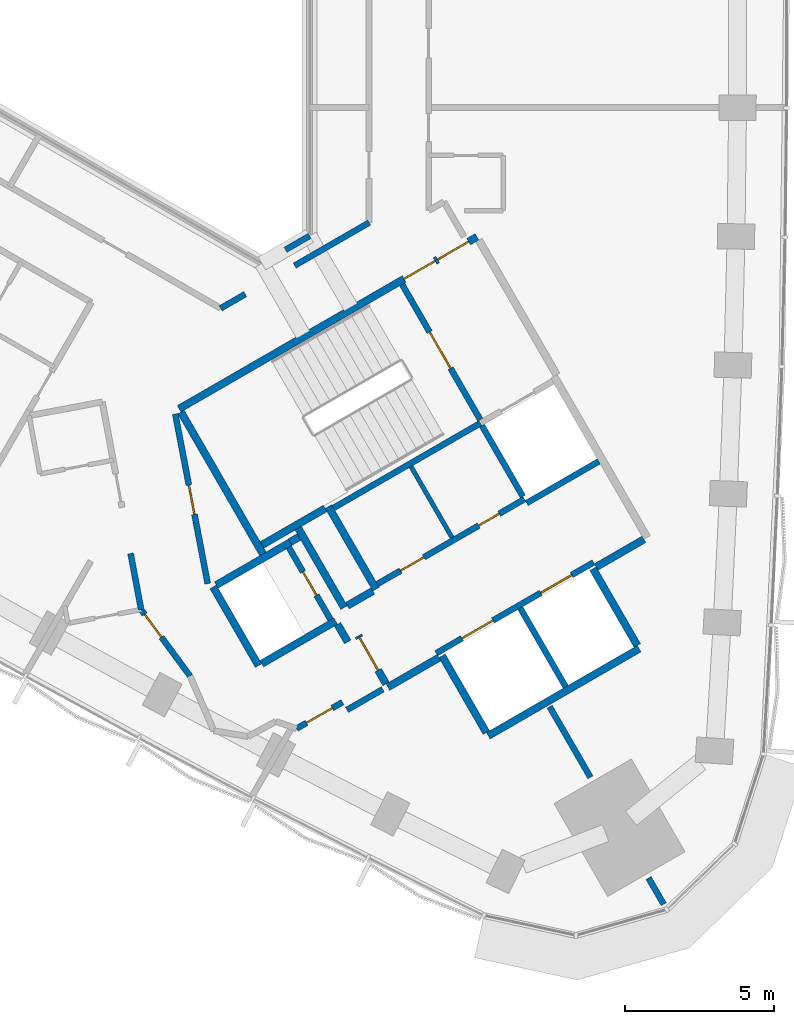
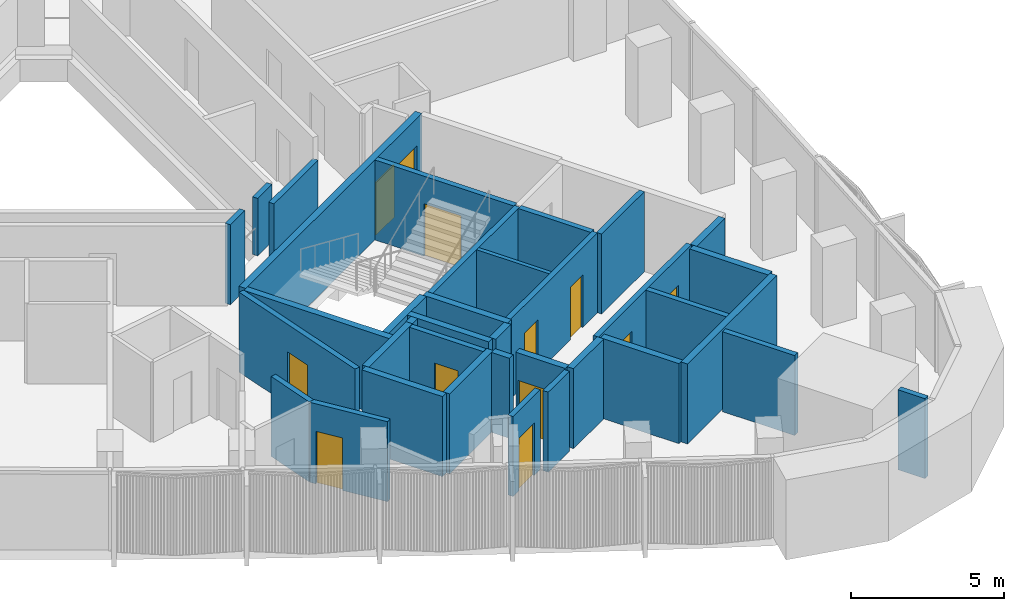
# One storey, part 9 of 15: 36 walls, 12 doors, 12 openings.
"""IFC4 building model written with IfcOpenShell, lengths in metres."""

from ifc_helpers import new_model, si_unit, direction, frame, frame_2d, origin, place, context, subcontext, project, spatial, rectangle, extrude, material, layer, layer_set, type_object, element, fill, save


model = new_model("IFC4")

# Units and contexts
model_context = context("Model", 3, precision=1e-05, world=origin(), true_north=direction((0.0, 1.0)))
body_context = subcontext(model_context, "Body", "Model", "MODEL_VIEW")
ifc_project = project(units=[si_unit("LENGTHUNIT", "METRE"), si_unit("AREAUNIT", "SQUARE_METRE"), si_unit("VOLUMEUNIT", "CUBIC_METRE"), si_unit("PLANEANGLEUNIT", "RADIAN"), si_unit("MASSUNIT", "GRAM", prefix="KILO")], contexts=[model_context])

# Site, building, storey
site_placement = place(None, origin())
site = spatial("IfcSite", under=ifc_project, at=site_placement, CompositionType="ELEMENT")
building_placement = place(site_placement, origin())
building = spatial("IfcBuilding", under=site, at=building_placement, Name="Tamra Quay Hotel Tower", CompositionType="ELEMENT")
storey_placement = place(building_placement, frame((0.0, 0.0, 136.0)))
storey = spatial("IfcBuildingStorey", under=building, at=storey_placement, Name="L33", CompositionType="ELEMENT", Elevation=136.0)

# Wall, openings, doors
ifc_material_1 = material(Name="Concrete M70", Category="concrete")
ifc_layer_1 = layer(ifc_material_1, 0.199951171875)
ifc_layer_set_1 = layer_set([ifc_layer_1], Name="Concrete M70 core wall 200")
wall_type_1 = type_object("IfcWallType", Name="Concrete M70 core wall 200", PredefinedType="SHEAR", material=ifc_layer_set_1)
wall_1_placement = place(storey_placement, frame((9.052490234375, -20.479736328125, 0.0), z_axis=(0.0, 0.0, 1.0), x_axis=(0.866030299012, 0.499991521122, 0.0)))
wall_1 = element("IfcWall", 1, at=wall_1_placement, inside=storey, type_object=wall_type_1, Name="CW2", PredefinedType="SHEAR", context=body_context, shape_type="SweptSolid", body=[
    extrude(rectangle(XDim=6.10009765625, YDim=0.199951171875, at=frame_2d((3.050048828125, 0.0))), origin(), (0.0, 0.0, 1.0), 3.199951171875),
])
opening_1_placement = place(wall_1_placement, frame((1.0, 0.0, 0.0)))
opening_1 = element("IfcOpeningElement", 2, at=opening_1_placement, cuts=wall_1, Name="Opening LD", PredefinedType="OPENING", context=body_context, shape_type="SweptSolid", body=[
    extrude(rectangle(XDim=1.199951171875, YDim=2.10009765625, at=frame_2d((0.60009765625, 1.050048828125))), frame((0.0, 0.10986328125, 0.0), z_axis=(0.0, -1.0, 0.0), x_axis=(1.0, 0.0, 0.0)), (0.0, 0.0, 1.0), 0.219970703125),
])
opening_2_placement = place(wall_1_placement, frame((4.05029296875, 0.0, 0.0)))
opening_2 = element("IfcOpeningElement", 3, at=opening_2_placement, cuts=wall_1, Name="Opening LD", PredefinedType="OPENING", context=body_context, shape_type="SweptSolid", body=[
    extrude(rectangle(XDim=1.199951171875, YDim=2.10009765625, at=frame_2d((0.60009765625, 1.050048828125))), frame((0.0, 0.10986328125, 0.0), z_axis=(0.0, -1.0, 0.0), x_axis=(1.0, 0.0, 0.0)), (0.0, 0.0, 1.0), 0.219970703125),
])
ifc_material_2 = material(Name="Landing door LD 1200 double door sliding")
door_type_1 = type_object("IfcDoorType", Name="Landing door LD 1200 double door sliding", OperationType="DOUBLE_DOOR_SLIDING", PredefinedType="DOOR", material=ifc_material_2)
door_1_placement = place(opening_1_placement, origin())
door_1 = element("IfcDoor", 4, at=door_1_placement, inside=storey, type_object=door_type_1, Name="LD", OperationType="DOUBLE_DOOR_SLIDING", OverallHeight=2.10009765625, OverallWidth=1.199951171875, PredefinedType="DOOR", context=body_context, shape_type="SweptSolid", body=[
    extrude(rectangle(XDim=1.199951171875, YDim=2.10009765625, at=frame_2d((0.60009765625, 1.050048828125))), frame((0.0, 0.02490234375, 0.0), z_axis=(0.0, -1.0, 0.0), x_axis=(1.0, 0.0, 0.0)), (0.0, 0.0, 1.0), 0.050048828125),
])
fill(opening_1, door_1)
door_2_placement = place(opening_2_placement, origin())
door_2 = element("IfcDoor", 5, at=door_2_placement, inside=storey, type_object=door_type_1, Name="LD", OperationType="DOUBLE_DOOR_SLIDING", OverallHeight=2.10009765625, OverallWidth=1.199951171875, PredefinedType="DOOR", context=body_context, shape_type="SweptSolid", body=[
    extrude(rectangle(XDim=1.199951171875, YDim=2.10009765625, at=frame_2d((0.60009765625, 1.050048828125))), frame((0.0, 0.02490234375, 0.0), z_axis=(0.0, -1.0, 0.0), x_axis=(1.0, 0.0, 0.0)), (0.0, 0.0, 1.0), 0.050048828125),
])
fill(opening_2, door_2)

# Wall
wall_2_placement = place(storey_placement, frame((10.537841796875, -12.751953125, 0.0), z_axis=(0.0, 0.0, 1.0), x_axis=(-0.866038630372, -0.499977090179, 0.0)))
element("IfcWall", 6, at=wall_2_placement, inside=storey, type_object=wall_type_1, Name="CW2", PredefinedType="SHEAR", context=body_context, shape_type="SweptSolid", body=[
    extrude(rectangle(XDim=5.698974609375, YDim=0.199951171875, at=frame_2d((2.849609375, 0.0))), origin(), (0.0, 0.0, 1.0), 3.199951171875),
])

# Wall, openings, doors
wall_3_placement = place(storey_placement, frame((7.0771484375, -18.156005859375, 0.0), z_axis=(0.0, 0.0, 1.0), x_axis=(0.866038630372, 0.499977090179, 0.0)))
wall_3 = element("IfcWall", 7, at=wall_3_placement, inside=storey, type_object=wall_type_1, Name="CW2", PredefinedType="SHEAR", context=body_context, shape_type="SweptSolid", body=[
    extrude(rectangle(XDim=5.698974609375, YDim=0.199951171875, at=frame_2d((2.849609375, 0.0))), origin(), (0.0, 0.0, 1.0), 3.199951171875),
])
opening_3_placement = place(wall_3_placement, frame((0.89892578125, 0.0, 0.0)))
opening_3 = element("IfcOpeningElement", 8, at=opening_3_placement, cuts=wall_3, Name="Opening D2", PredefinedType="OPENING", context=body_context, shape_type="SweptSolid", body=[
    extrude(rectangle(XDim=0.89990234375, YDim=2.10009765625, at=frame_2d((0.449951171875, 1.050048828125))), frame((0.0, 0.10986328125, 0.0), z_axis=(0.0, -1.0, 0.0), x_axis=(1.0, 0.0, 0.0)), (0.0, 0.0, 1.0), 0.219970703125),
])
opening_4_placement = place(wall_3_placement, frame((3.924072265625, 0.0, 0.0)))
opening_4 = element("IfcOpeningElement", 9, at=opening_4_placement, cuts=wall_3, Name="Opening D3", PredefinedType="OPENING", context=body_context, shape_type="SweptSolid", body=[
    extrude(rectangle(XDim=0.800048828125, YDim=2.10009765625, at=frame_2d((0.39990234375, 1.050048828125))), frame((0.0, 0.10986328125, 0.0), z_axis=(0.0, -1.0, 0.0), x_axis=(1.0, 0.0, 0.0)), (0.0, 0.0, 1.0), 0.219970703125),
])
ifc_material_3 = material(Name="Core door D2 900x2100 LH")
door_type_2 = type_object("IfcDoorType", Name="Core door D2 900x2100 LH", OperationType="NOTDEFINED", PredefinedType="DOOR", material=ifc_material_3)
door_3_placement = place(opening_3_placement, origin())
door_3 = element("IfcDoor", 10, at=door_3_placement, inside=storey, type_object=door_type_2, Name="D2", OperationType="SINGLE_SWING_LEFT", OverallHeight=2.10009765625, OverallWidth=0.89990234375, PredefinedType="DOOR", context=body_context, shape_type="SweptSolid", body=[
    extrude(rectangle(XDim=0.89990234375, YDim=2.10009765625, at=frame_2d((0.449951171875, 1.050048828125))), frame((0.0, 0.02490234375, 0.0), z_axis=(0.0, -1.0, 0.0), x_axis=(1.0, 0.0, 0.0)), (0.0, 0.0, 1.0), 0.050048828125),
])
fill(opening_3, door_3)
ifc_material_4 = material(Name="Core door D3 800x2100 RH")
door_type_3 = type_object("IfcDoorType", Name="Core door D3 800x2100 RH", OperationType="NOTDEFINED", PredefinedType="DOOR", material=ifc_material_4)
door_4_placement = place(opening_4_placement, origin())
door_4 = element("IfcDoor", 11, at=door_4_placement, inside=storey, type_object=door_type_3, Name="D3", OperationType="SINGLE_SWING_RIGHT", OverallHeight=2.10009765625, OverallWidth=0.800048828125, PredefinedType="DOOR", context=body_context, shape_type="SweptSolid", body=[
    extrude(rectangle(XDim=0.800048828125, YDim=2.10009765625, at=frame_2d((0.39990234375, 1.050048828125))), frame((0.0, 0.02490234375, 0.0), z_axis=(0.0, -1.0, 0.0), x_axis=(1.0, 0.0, 0.0)), (0.0, 0.0, 1.0), 0.050048828125),
])
fill(opening_4, door_4)

# Wall, opening, door
wall_4_placement = place(storey_placement, frame((7.906494140625, -8.094482421875, 0.0), z_axis=(0.0, 0.0, 1.0), x_axis=(0.500024287448, -0.866011380966, 0.0)))
wall_4 = element("IfcWall", 12, at=wall_4_placement, inside=storey, type_object=wall_type_1, Name="CW2", PredefinedType="SHEAR", context=body_context, shape_type="SweptSolid", body=[
    extrude(rectangle(XDim=5.251220703125, YDim=0.199951171875, at=frame_2d((2.62548828125, 0.0))), origin(), (0.0, 0.0, 1.0), 3.199951171875),
])
opening_5_placement = place(wall_4_placement, frame((1.84912109375, 0.0, 0.0)))
opening_5 = element("IfcOpeningElement", 13, at=opening_5_placement, cuts=wall_4, Name="Opening FD2", PredefinedType="OPENING", context=body_context, shape_type="SweptSolid", body=[
    extrude(rectangle(XDim=1.39990234375, YDim=2.10009765625, at=frame_2d((0.699951171875, 1.050048828125))), frame((0.0, 0.10986328125, 0.0), z_axis=(0.0, -1.0, 0.0), x_axis=(1.0, 0.0, 0.0)), (0.0, 0.0, 1.0), 0.219970703125),
])
ifc_material_5 = material(Name="Core door FD2 1400x2100 RH")
door_type_4 = type_object("IfcDoorType", Name="Core door FD2 1400x2100 RH", OperationType="NOTDEFINED", PredefinedType="DOOR", material=ifc_material_5)
door_5_placement = place(opening_5_placement, origin())
door_5 = element("IfcDoor", 14, at=door_5_placement, inside=storey, type_object=door_type_4, Name="FD2", OperationType="SINGLE_SWING_RIGHT", OverallHeight=2.10009765625, OverallWidth=1.39990234375, PredefinedType="DOOR", context=body_context, shape_type="SweptSolid", body=[
    extrude(rectangle(XDim=1.39990234375, YDim=2.10009765625, at=frame_2d((0.699951171875, 1.050048828125))), frame((0.0, 0.02490234375, 0.0), z_axis=(0.0, -1.0, 0.0), x_axis=(1.0, 0.0, 0.0)), (0.0, 0.0, 1.0), 0.050048828125),
])
fill(opening_5, door_5)

# Wall
wall_5_placement = place(storey_placement, frame((11.87451171875, -18.967041015625, 0.0), z_axis=(0.0, 0.0, 1.0), x_axis=(0.49998131003, -0.866036194175, 0.0)))
element("IfcWall", 15, at=wall_5_placement, inside=storey, type_object=wall_type_1, Name="CW2", PredefinedType="SHEAR", context=body_context, shape_type="SweptSolid", body=[
    extrude(rectangle(XDim=3.0478515625, YDim=0.199951171875, at=frame_2d((1.52392578125, 0.0))), origin(), (0.0, 0.0, 1.0), 3.199951171875),
])

# Wall, opening, door
wall_6_placement = place(storey_placement, frame((5.50341796875, -19.352294921875, 0.0), z_axis=(0.0, 0.0, 1.0), x_axis=(-0.499986818241, 0.866033014143, 0.0)))
wall_6 = element("IfcWall", 16, at=wall_6_placement, inside=storey, type_object=wall_type_1, Name="CW2", PredefinedType="SHEAR", context=body_context, shape_type="SweptSolid", body=[
    extrude(rectangle(XDim=2.7978515625, YDim=0.199951171875, at=frame_2d((1.39892578125, 0.0))), origin(), (0.0, 0.0, 1.0), 3.199951171875),
])
opening_6_placement = place(wall_6_placement, frame((0.948974609375, 0.0, 0.0)))
opening_6 = element("IfcOpeningElement", 17, at=opening_6_placement, cuts=wall_6, Name="Opening D1", PredefinedType="OPENING", context=body_context, shape_type="SweptSolid", body=[
    extrude(rectangle(XDim=0.89990234375, YDim=2.10009765625, at=frame_2d((0.449951171875, 1.050048828125))), frame((0.0, 0.10986328125, 0.0), z_axis=(0.0, -1.0, 0.0), x_axis=(1.0, 0.0, 0.0)), (0.0, 0.0, 1.0), 0.219970703125),
])
ifc_material_6 = material(Name="Core door D1 900x2100 LH")
door_type_5 = type_object("IfcDoorType", Name="Core door D1 900x2100 LH", OperationType="NOTDEFINED", PredefinedType="DOOR", material=ifc_material_6)
door_6_placement = place(opening_6_placement, origin())
door_6 = element("IfcDoor", 18, at=door_6_placement, inside=storey, type_object=door_type_5, Name="D1", OperationType="SINGLE_SWING_LEFT", OverallHeight=2.10009765625, OverallWidth=0.89990234375, PredefinedType="DOOR", context=body_context, shape_type="SweptSolid", body=[
    extrude(rectangle(XDim=0.89990234375, YDim=2.10009765625, at=frame_2d((0.449951171875, 1.050048828125))), frame((0.0, 0.02490234375, 0.0), z_axis=(0.0, -1.0, 0.0), x_axis=(1.0, 0.0, 0.0)), (0.0, 0.0, 1.0), 0.050048828125),
])
fill(opening_6, door_6)

# Walls
wall_7_placement = place(storey_placement, frame((11.962646484375, -15.219970703125, 0.0), z_axis=(0.0, 0.0, 1.0), x_axis=(-0.500034990121, 0.866005201286, 0.0)))
element("IfcWall", 19, at=wall_7_placement, inside=storey, type_object=wall_type_1, Name="CW2", PredefinedType="SHEAR", context=body_context, shape_type="SweptSolid", body=[
    extrude(rectangle(XDim=2.749755859375, YDim=0.199951171875, at=frame_2d((1.375, 0.0))), origin(), (0.0, 0.0, 1.0), 3.199951171875),
])
wall_8_placement = place(storey_placement, frame((14.51171875, -14.037109375, 0.0), z_axis=(0.0, 0.0, 1.0), x_axis=(-0.866044696403, -0.499966582715, 0.0)))
element("IfcWall", 20, at=wall_8_placement, inside=storey, type_object=wall_type_1, Name="CW2", PredefinedType="SHEAR", context=body_context, shape_type="SweptSolid", body=[
    extrude(rectangle(XDim=2.799072265625, YDim=0.199951171875, at=frame_2d((1.3994140625, 0.0))), origin(), (0.0, 0.0, 1.0), 3.199951171875),
])

# Wall, openings, doors
ifc_layer_2 = layer(ifc_material_1, 0.25)
ifc_layer_set_2 = layer_set([ifc_layer_2], Name="Concrete M70 core wall 250")
wall_type_2 = type_object("IfcWallType", Name="Concrete M70 core wall 250", PredefinedType="SHEAR", material=ifc_layer_set_2)
wall_9_placement = place(storey_placement, frame((0.417236328125, -12.27294921875, 0.0), z_axis=(0.0, 0.0, 1.0), x_axis=(0.866021906294, 0.500006057782, 0.0)))
wall_9 = element("IfcWall", 21, at=wall_9_placement, inside=storey, type_object=wall_type_2, Name="CW1", PredefinedType="SHEAR", context=body_context, shape_type="SweptSolid", body=[
    extrude(rectangle(XDim=11.550048828125, YDim=0.25, at=frame_2d((5.77490234375, 0.0))), origin(), (0.0, 0.0, 1.0), 3.199951171875),
])
opening_7_placement = place(wall_9_placement, frame((10.024658203125, 0.0, 0.0)))
opening_7 = element("IfcOpeningElement", 22, at=opening_7_placement, cuts=wall_9, Name="Opening FD1", PredefinedType="OPENING", context=body_context, shape_type="SweptSolid", body=[
    extrude(rectangle(XDim=1.199951171875, YDim=2.10009765625, at=frame_2d((0.60009765625, 1.050048828125))), frame((0.0, 0.135009765625, 0.0), z_axis=(0.0, -1.0, 0.0), x_axis=(1.0, 0.0, 0.0)), (0.0, 0.0, 1.0), 0.27001953125),
])
opening_8_placement = place(wall_9_placement, frame((8.724609375, 0.0, 0.0)))
opening_8 = element("IfcOpeningElement", 23, at=opening_8_placement, cuts=wall_9, Name="Opening FD1", PredefinedType="OPENING", context=body_context, shape_type="SweptSolid", body=[
    extrude(rectangle(XDim=1.199951171875, YDim=2.10009765625, at=frame_2d((0.60009765625, 1.050048828125))), frame((0.0, 0.135009765625, 0.0), z_axis=(0.0, -1.0, 0.0), x_axis=(1.0, 0.0, 0.0)), (0.0, 0.0, 1.0), 0.27001953125),
])
ifc_material_7 = material(Name="Core door FD1 1200x2100 LH")
door_type_6 = type_object("IfcDoorType", Name="Core door FD1 1200x2100 LH", OperationType="NOTDEFINED", PredefinedType="DOOR", material=ifc_material_7)
door_7_placement = place(opening_7_placement, origin())
door_7 = element("IfcDoor", 24, at=door_7_placement, inside=storey, type_object=door_type_6, Name="FD1", OperationType="SINGLE_SWING_LEFT", OverallHeight=2.10009765625, OverallWidth=1.199951171875, PredefinedType="DOOR", context=body_context, shape_type="SweptSolid", body=[
    extrude(rectangle(XDim=1.199951171875, YDim=2.10009765625, at=frame_2d((0.60009765625, 1.050048828125))), frame((0.0, 0.02490234375, 0.0), z_axis=(0.0, -1.0, 0.0), x_axis=(1.0, 0.0, 0.0)), (0.0, 0.0, 1.0), 0.050048828125),
])
fill(opening_7, door_7)
ifc_material_8 = material(Name="Core door FD1 1200x2100 RH")
door_type_7 = type_object("IfcDoorType", Name="Core door FD1 1200x2100 RH", OperationType="NOTDEFINED", PredefinedType="DOOR", material=ifc_material_8)
door_8_placement = place(opening_8_placement, origin())
door_8 = element("IfcDoor", 25, at=door_8_placement, inside=storey, type_object=door_type_7, Name="FD1", OperationType="SINGLE_SWING_RIGHT", OverallHeight=2.10009765625, OverallWidth=1.199951171875, PredefinedType="DOOR", context=body_context, shape_type="SweptSolid", body=[
    extrude(rectangle(XDim=1.199951171875, YDim=2.10009765625, at=frame_2d((0.60009765625, 1.050048828125))), frame((0.0, 0.02490234375, 0.0), z_axis=(0.0, -1.0, 0.0), x_axis=(1.0, 0.0, 0.0)), (0.0, 0.0, 1.0), 0.050048828125),
])
fill(opening_8, door_8)

# Walls
wall_10_placement = place(storey_placement, frame((15.86474609375, -20.328369140625, 0.0), z_axis=(0.0, 0.0, 1.0), x_axis=(-0.86602852612, -0.499994591916, 0.0)))
element("IfcWall", 26, at=wall_10_placement, inside=storey, type_object=wall_type_2, Name="CW1", PredefinedType="SHEAR", context=body_context, shape_type="SweptSolid", body=[
    extrude(rectangle(XDim=5.85009765625, YDim=0.25, at=frame_2d((2.925048828125, 0.0))), origin(), (0.0, 0.0, 1.0), 3.199951171875),
])
wall_11_placement = place(storey_placement, frame((3.23486328125, -17.15283203125, 0.0), z_axis=(0.0, 0.0, 1.0), x_axis=(-0.500008851346, 0.866020293397, 0.0)))
element("IfcWall", 27, at=wall_11_placement, inside=storey, type_object=wall_type_2, Name="CW1", PredefinedType="SHEAR", context=body_context, shape_type="SweptSolid", body=[
    extrude(rectangle(XDim=5.509765625, YDim=0.25, at=frame_2d((2.7548828125, 0.0))), origin(), (0.0, 0.0, 1.0), 3.199951171875),
])
wall_12_placement = place(storey_placement, frame((7.030517578125, -18.327392578125, 0.0), z_axis=(0.0, 0.0, 1.0), x_axis=(-0.499971222258, 0.866042017984, 0.0)))
element("IfcWall", 28, at=wall_12_placement, inside=storey, type_object=wall_type_2, Name="CW1", PredefinedType="SHEAR", context=body_context, shape_type="SweptSolid", body=[
    extrude(rectangle(XDim=3.199951171875, YDim=0.25, at=frame_2d((1.60009765625, 0.0))), origin(), (0.0, 0.0, 1.0), 3.199951171875),
])
for number, where, z_axis, x_axis, name in (
    (29, (14.314697265625, -17.643798828125, 0.0), (0.0, 0.0, 1.0), (0.500023226632, -0.866011993467, 0.0), "CW1"),
    (30, (10.73583984375, -23.144775390625, 0.0), (0.0, 0.0, 1.0), (-0.500023226632, 0.866011993467, 0.0), "CW1"),
):
    element("IfcWall", number, at=place(storey_placement, frame(where, z_axis=z_axis, x_axis=x_axis)), inside=storey, type_object=wall_type_2, Name=name, PredefinedType="SHEAR", context=body_context, shape_type="SweptSolid", body=[
        extrude(rectangle(XDim=2.974365234375, YDim=0.25, at=frame_2d((1.4873046875, 0.0))), origin(), (0.0, 0.0, 1.0), 3.199951171875),
    ])
wall_13_placement = place(storey_placement, frame((3.085205078125, -20.893798828125, 0.0), z_axis=(0.0, 0.0, 1.0), x_axis=(-0.499978833458, 0.866037623948, 0.0)))
element("IfcWall", 31, at=wall_13_placement, inside=storey, type_object=wall_type_2, Name="CW1", PredefinedType="SHEAR", context=body_context, shape_type="SweptSolid", body=[
    extrude(rectangle(XDim=3.050048828125, YDim=0.25, at=frame_2d((1.52490234375, 0.0))), origin(), (0.0, 0.0, 1.0), 3.199951171875),
])
wall_14_placement = place(storey_placement, frame((1.6689453125, -18.189697265625, 0.0), z_axis=(0.0, 0.0, 1.0), x_axis=(0.866042235819, 0.499970844928, 0.0)))
element("IfcWall", 32, at=wall_14_placement, inside=storey, type_object=wall_type_2, Name="CW1", PredefinedType="SHEAR", context=body_context, shape_type="SweptSolid", body=[
    extrude(rectangle(XDim=2.864501953125, YDim=0.25, at=frame_2d((1.43212890625, 0.0))), origin(), (0.0, 0.0, 1.0), 3.199951171875),
])
wall_15_placement = place(storey_placement, frame((5.6748046875, -19.39892578125, 0.0), z_axis=(0.0, 0.0, 1.0), x_axis=(-0.866026637627, -0.499997862916, 0.0)))
element("IfcWall", 33, at=wall_15_placement, inside=storey, type_object=wall_type_2, Name="CW1", PredefinedType="SHEAR", context=body_context, shape_type="SweptSolid", body=[
    extrude(rectangle(XDim=2.86474609375, YDim=0.25, at=frame_2d((1.432373046875, 0.0))), origin(), (0.0, 0.0, 1.0), 3.199951171875),
])
wall_16_placement = place(storey_placement, frame((4.414306640625, -16.275634765625, 0.0), z_axis=(0.0, 0.0, 1.0), x_axis=(0.500003324108, -0.866023484601, 0.0)))
element("IfcWall", 34, at=wall_16_placement, inside=storey, type_object=wall_type_2, Name="CW1", PredefinedType="SHEAR", context=body_context, shape_type="SweptSolid", body=[
    extrude(rectangle(XDim=3.0849609375, YDim=0.25, at=frame_2d((1.54248046875, 0.0))), origin(), (0.0, 0.0, 1.0), 3.199951171875),
])
wall_17_placement = place(storey_placement, frame((5.322021484375, -15.618896484375, 0.0), z_axis=(0.0, 0.0, 1.0), x_axis=(-0.866026229868, -0.499998569178, 0.0)))
element("IfcWall", 35, at=wall_17_placement, inside=storey, type_object=wall_type_2, Name="CW1", PredefinedType="SHEAR", context=body_context, shape_type="SweptSolid", body=[
    extrude(rectangle(XDim=2.44921875, YDim=0.25, at=frame_2d((1.224609375, 0.0))), origin(), (0.0, 0.0, 1.0), 3.199951171875),
])
wall_18_placement = place(storey_placement, frame((9.139892578125, -20.63134765625, 0.0), z_axis=(0.0, 0.0, 1.0), x_axis=(-0.866043531843, -0.499968599967, 0.0)))
element("IfcWall", 36, at=wall_18_placement, inside=storey, type_object=wall_type_2, Name="CW1", PredefinedType="SHEAR", context=body_context, shape_type="SweptSolid", body=[
    extrude(rectangle(XDim=1.974853515625, YDim=0.25, at=frame_2d((0.9873046875, 0.0))), origin(), (0.0, 0.0, 1.0), 3.199951171875),
])
wall_19_placement = place(storey_placement, frame((16.024658203125, -16.656494140625, 0.0), z_axis=(0.0, 0.0, 1.0), x_axis=(-0.866016279763, -0.500015802937, 0.0)))
element("IfcWall", 37, at=wall_19_placement, inside=storey, type_object=wall_type_2, Name="CW1", PredefinedType="SHEAR", context=body_context, shape_type="SweptSolid", body=[
    extrude(rectangle(XDim=1.84912109375, YDim=0.25, at=frame_2d((0.924560546875, 0.0))), origin(), (0.0, 0.0, 1.0), 3.199951171875),
])

# Wall, opening, door
wall_20_placement = place(storey_placement, frame((7.3671875, -21.51025390625, 0.0), z_axis=(0.0, 0.0, 1.0), x_axis=(-0.499983108224, 0.866035156036, 0.0)))
wall_20 = element("IfcWall", 38, at=wall_20_placement, inside=storey, type_object=wall_type_2, Name="CW1", PredefinedType="SHEAR", context=body_context, shape_type="SweptSolid", body=[
    extrude(rectangle(XDim=1.86474609375, YDim=0.25, at=frame_2d((0.932373046875, 0.0))), origin(), (0.0, 0.0, 1.0), 3.199951171875),
])
opening_9_placement = place(wall_20_placement, frame((0.53466796875, 0.0, 0.0)))
opening_9 = element("IfcOpeningElement", 39, at=opening_9_placement, cuts=wall_20, Name="Opening FD3", PredefinedType="OPENING", context=body_context, shape_type="SweptSolid", body=[
    extrude(rectangle(XDim=1.25, YDim=2.10009765625, at=frame_2d((0.625, 1.050048828125))), frame((0.0, 0.135009765625, 0.0), z_axis=(0.0, -1.0, 0.0), x_axis=(1.0, 0.0, 0.0)), (0.0, 0.0, 1.0), 0.27001953125),
])
ifc_material_9 = material(Name="Core door FD3 1250x2100 LH")
door_type_8 = type_object("IfcDoorType", Name="Core door FD3 1250x2100 LH", OperationType="NOTDEFINED", PredefinedType="DOOR", material=ifc_material_9)
door_9_placement = place(opening_9_placement, origin())
door_9 = element("IfcDoor", 40, at=door_9_placement, inside=storey, type_object=door_type_8, Name="FD3", OperationType="SINGLE_SWING_LEFT", OverallHeight=2.10009765625, OverallWidth=1.25, PredefinedType="DOOR", context=body_context, shape_type="SweptSolid", body=[
    extrude(rectangle(XDim=1.25, YDim=2.10009765625, at=frame_2d((0.625, 1.050048828125))), frame((0.0, 0.02490234375, 0.0), z_axis=(0.0, -1.0, 0.0), x_axis=(1.0, 0.0, 0.0)), (0.0, 0.0, 1.0), 0.050048828125),
])
fill(opening_9, door_9)

# Walls
wall_21_placement = place(storey_placement, frame((6.0654296875, -18.884765625, 0.0), z_axis=(0.0, 0.0, 1.0), x_axis=(0.866017078145, 0.500014420154, 0.0)))
element("IfcWall", 41, at=wall_21_placement, inside=storey, type_object=wall_type_2, Name="CW1", PredefinedType="SHEAR", context=body_context, shape_type="SweptSolid", body=[
    extrude(rectangle(XDim=0.9892578125, YDim=0.25, at=frame_2d((0.49462890625, 0.0))), origin(), (0.0, 0.0, 1.0), 3.199951171875),
])
wall_22_placement = place(storey_placement, frame((6.07958984375, -20.100341796875, 0.0), z_axis=(0.0, 0.0, 1.0), x_axis=(-0.500051773299, 0.865995510393, 0.0)))
element("IfcWall", 42, at=wall_22_placement, inside=storey, type_object=wall_type_2, Name="CW1", PredefinedType="SHEAR", context=body_context, shape_type="SweptSolid", body=[
    extrude(rectangle(XDim=0.6845703125, YDim=0.25, at=frame_2d((0.34228515625, 0.0))), origin(), (0.0, 0.0, 1.0), 3.199951171875),
])
wall_23_placement = place(storey_placement, frame((4.144775390625, -16.748779296875, 0.0), z_axis=(0.0, 0.0, 1.0), x_axis=(0.866185586049, 0.49972245349, 0.0)))
element("IfcWall", 43, at=wall_23_placement, inside=storey, type_object=wall_type_2, Name="CW1", PredefinedType="SHEAR", context=body_context, shape_type="SweptSolid", body=[
    extrude(rectangle(XDim=0.344482421875, YDim=0.25, at=frame_2d((0.17236328125, 0.0))), origin(), (0.0, 0.0, 1.0), 3.199951171875),
])
ifc_material_10 = material(Name="Blockwork", Category="masonry")
ifc_layer_3 = layer(ifc_material_10, 0.14990234375)
ifc_layer_set_3 = layer_set([ifc_layer_3], Name="Core partition block 150")
wall_type_3 = type_object("IfcWallType", Name="Core partition block 150", PredefinedType="PARTITIONING", material=ifc_layer_set_3)
wall_24_placement = place(storey_placement, frame((8.20654296875, -14.214111328125, 0.0), z_axis=(0.0, 0.0, 1.0), x_axis=(0.50002746344, -0.86600954718, 0.0)))
element("IfcWall", 44, at=wall_24_placement, inside=storey, type_object=wall_type_3, Name="CP1", PredefinedType="PARTITIONING", context=body_context, shape_type="SweptSolid", body=[
    extrude(rectangle(XDim=2.748291015625, YDim=0.14990234375, at=frame_2d((1.3740234375, 0.0))), origin(), (0.0, 0.0, 1.0), 3.199951171875),
])
ifc_material_11 = material(Name="Partition corridor wall")
ifc_layer_4 = layer(ifc_material_11, 0.199951171875)
ifc_layer_set_4 = layer_set([ifc_layer_4], Name="Partition corridor wall")
wall_type_4 = type_object("IfcWallType", Name="Partition corridor wall", PredefinedType="PARTITIONING", material=ifc_layer_set_4)
wall_25_placement = place(storey_placement, frame((-1.210205078125, -17.131103515625, 0.0), z_axis=(0.0, 0.0, 1.0), x_axis=(0.183950101319, -0.982935582948, 0.0)))
element("IfcWall", 45, at=wall_25_placement, inside=storey, type_object=wall_type_4, Name="W-C", PredefinedType="PARTITIONING", context=body_context, shape_type="SweptSolid", body=[
    extrude(rectangle(XDim=1.91650390625, YDim=0.199951171875, at=frame_2d((0.958251953125, 0.0))), origin(), (0.0, 0.0, 1.0), 3.199951171875),
])

# Wall, opening, door
wall_26_placement = place(storey_placement, frame((-0.85791015625, -19.01611328125, 0.0), z_axis=(0.0, 0.0, 1.0), x_axis=(0.593123867414, -0.805111220829, 0.0)))
wall_26 = element("IfcWall", 46, at=wall_26_placement, inside=storey, type_object=wall_type_4, Name="W-C", PredefinedType="PARTITIONING", context=body_context, shape_type="SweptSolid", body=[
    extrude(rectangle(XDim=2.769775390625, YDim=0.199951171875, at=frame_2d((1.384765625, 0.0))), origin(), (0.0, 0.0, 1.0), 3.199951171875),
])
opening_10_placement = place(wall_26_placement, frame((0.199951171875, 0.0, 0.0)))
opening_10 = element("IfcOpeningElement", 47, at=opening_10_placement, cuts=wall_26, Name="Opening L33-D021", PredefinedType="OPENING", context=body_context, shape_type="SweptSolid", body=[
    extrude(rectangle(XDim=0.949951171875, YDim=2.10009765625, at=frame_2d((0.47509765625, 1.050048828125))), frame((0.0, 0.10986328125, 0.0), z_axis=(0.0, -1.0, 0.0), x_axis=(1.0, 0.0, 0.0)), (0.0, 0.0, 1.0), 0.219970703125),
])
ifc_material_12 = material(Name="Door guest room 950x2100")
door_type_9 = type_object("IfcDoorType", Name="Door guest room 950x2100", OperationType="NOTDEFINED", PredefinedType="DOOR", material=ifc_material_12)
door_10_placement = place(opening_10_placement, frame((0.949951171875, 0.0, 0.0), z_axis=(0.0, 0.0, 1.0), x_axis=(-1.0, 0.0, 0.0)))
door_10 = element("IfcDoor", 48, at=door_10_placement, inside=storey, type_object=door_type_9, Name="L33-D021", OperationType="SINGLE_SWING_LEFT", OverallHeight=2.10009765625, OverallWidth=0.949951171875, PredefinedType="DOOR", context=body_context, shape_type="SweptSolid", body=[
    extrude(rectangle(XDim=0.949951171875, YDim=2.10009765625, at=frame_2d((0.47509765625, 1.050048828125))), frame((0.0, 0.02490234375, 0.0), z_axis=(0.0, -1.0, 0.0), x_axis=(1.0, 0.0, 0.0)), (0.0, 0.0, 1.0), 0.050048828125),
])
fill(opening_10, door_10)

wall_27_placement = place(storey_placement, frame((0.2890625, -12.445068359375, 0.0), z_axis=(0.0, 0.0, 1.0), x_axis=(0.187668946952, -0.982232338273, 0.0)))
wall_27 = element("IfcWall", 49, at=wall_27_placement, inside=storey, type_object=wall_type_4, Name="W-C", PredefinedType="PARTITIONING", context=body_context, shape_type="SweptSolid", body=[
    extrude(rectangle(XDim=5.802001953125, YDim=0.199951171875, at=frame_2d((2.90087890625, 0.0))), origin(), (0.0, 0.0, 1.0), 3.199951171875),
])
opening_11_placement = place(wall_27_placement, frame((2.43310546875, 0.0, 0.0)))
opening_11 = element("IfcOpeningElement", 50, at=opening_11_placement, cuts=wall_27, Name="Opening L33-D020", PredefinedType="OPENING", context=body_context, shape_type="SweptSolid", body=[
    extrude(rectangle(XDim=1.0, YDim=2.10009765625, at=frame_2d((0.5, 1.050048828125))), frame((0.0, 0.10986328125, 0.0), z_axis=(0.0, -1.0, 0.0), x_axis=(1.0, 0.0, 0.0)), (0.0, 0.0, 1.0), 0.219970703125),
])
ifc_material_13 = material(Name="Door guest room 1000x2100")
door_type_10 = type_object("IfcDoorType", Name="Door guest room 1000x2100", OperationType="NOTDEFINED", PredefinedType="DOOR", material=ifc_material_13)
door_11_placement = place(opening_11_placement, origin())
door_11 = element("IfcDoor", 51, at=door_11_placement, inside=storey, type_object=door_type_10, Name="L33-D020", OperationType="SINGLE_SWING_LEFT", OverallHeight=2.10009765625, OverallWidth=1.0, PredefinedType="DOOR", context=body_context, shape_type="SweptSolid", body=[
    extrude(rectangle(XDim=1.0, YDim=2.10009765625, at=frame_2d((0.5, 1.050048828125))), frame((0.0, 0.02490234375, 0.0), z_axis=(0.0, -1.0, 0.0), x_axis=(1.0, 0.0, 0.0)), (0.0, 0.0, 1.0), 0.050048828125),
])
fill(opening_11, door_11)

# Walls
wall_28_placement = place(storey_placement, frame((1.812255859375, -8.8984375, 0.0), z_axis=(0.0, 0.0, 1.0), x_axis=(0.866108878364, 0.499855389907, 0.0)))
element("IfcWall", 52, at=wall_28_placement, inside=storey, type_object=wall_type_4, Name="W-C", PredefinedType="PARTITIONING", context=body_context, shape_type="SweptSolid", body=[
    extrude(rectangle(XDim=0.953857421875, YDim=0.199951171875, at=frame_2d((0.47705078125, 0.0))), origin(), (0.0, 0.0, 1.0), 3.199951171875),
])
wall_29_placement = place(storey_placement, frame((4.297119140625, -7.464111328125, 0.0), z_axis=(0.0, 0.0, 1.0), x_axis=(0.86602521942, 0.500000319328, 0.0)))
element("IfcWall", 53, at=wall_29_placement, inside=storey, type_object=wall_type_4, Name="W-C", PredefinedType="PARTITIONING", context=body_context, shape_type="SweptSolid", body=[
    extrude(rectangle(XDim=2.89013671875, YDim=0.199951171875, at=frame_2d((1.445068359375, 0.0))), origin(), (0.0, 0.0, 1.0), 2.300048828125),
])

# Wall, opening, door
wall_30_placement = place(storey_placement, frame((4.362060546875, -23.011962890625, 0.0), z_axis=(0.0, 0.0, 1.0), x_axis=(0.866692617793, 0.49884256661, 0.0)))
wall_30 = element("IfcWall", 54, at=wall_30_placement, inside=storey, type_object=wall_type_4, Name="W-C", PredefinedType="PARTITIONING", context=body_context, shape_type="SweptSolid", body=[
    extrude(rectangle(XDim=1.778076171875, YDim=0.199951171875, at=frame_2d((0.88916015625, 0.0))), origin(), (0.0, 0.0, 1.0), 3.199951171875),
])
opening_12_placement = place(wall_30_placement, frame((0.388916015625, 0.0, 0.0)))
opening_12 = element("IfcOpeningElement", 55, at=opening_12_placement, cuts=wall_30, Name="Opening L33-D023", PredefinedType="OPENING", context=body_context, shape_type="SweptSolid", body=[
    extrude(rectangle(XDim=1.0, YDim=2.10009765625, at=frame_2d((0.5, 1.050048828125))), frame((0.0, 0.10986328125, 0.0), z_axis=(0.0, -1.0, 0.0), x_axis=(1.0, 0.0, 0.0)), (0.0, 0.0, 1.0), 0.219970703125),
])
door_12_placement = place(opening_12_placement, frame((1.0, 0.0, 0.0), z_axis=(0.0, 0.0, 1.0), x_axis=(-1.0, 0.0, 0.0)))
door_12 = element("IfcDoor", 56, at=door_12_placement, inside=storey, type_object=door_type_10, Name="L33-D023", OperationType="SINGLE_SWING_LEFT", OverallHeight=2.10009765625, OverallWidth=1.0, PredefinedType="DOOR", context=body_context, shape_type="SweptSolid", body=[
    extrude(rectangle(XDim=1.0, YDim=2.10009765625, at=frame_2d((0.5, 1.050048828125))), frame((0.0, 0.02490234375, 0.0), z_axis=(0.0, -1.0, 0.0), x_axis=(1.0, 0.0, 0.0)), (0.0, 0.0, 1.0), 0.050048828125),
])
fill(opening_12, door_12)

# Walls
wall_31_placement = place(storey_placement, frame((6.053955078125, -22.385009765625, 0.0), z_axis=(0.0, 0.0, 1.0), x_axis=(0.86593101922, 0.500163443238, 0.0)))
element("IfcWall", 57, at=wall_31_placement, inside=storey, type_object=wall_type_4, Name="W-C", PredefinedType="PARTITIONING", context=body_context, shape_type="SweptSolid", body=[
    extrude(rectangle(XDim=1.3896484375, YDim=0.199951171875, at=frame_2d((0.69482421875, 0.0))), origin(), (0.0, 0.0, 1.0), 3.199951171875),
])
ifc_material_14 = material(Name="Partition party wall")
ifc_layer_5 = layer(ifc_material_14, 0.199951171875)
ifc_layer_set_5 = layer_set([ifc_layer_5], Name="Partition party wall")
wall_type_5 = type_object("IfcWallType", Name="Partition party wall", PredefinedType="PARTITIONING", material=ifc_layer_set_5)
wall_32_placement = place(storey_placement, frame((3.989990234375, -6.93408203125, 0.0), z_axis=(0.0, 0.0, 1.0), x_axis=(0.865872609263, 0.500264554538, 0.0)))
element("IfcWall", 58, at=wall_32_placement, inside=storey, type_object=wall_type_5, Name="W-P", PredefinedType="PARTITIONING", context=body_context, shape_type="SweptSolid", body=[
    extrude(rectangle(XDim=0.935546875, YDim=0.199951171875, at=frame_2d((0.4677734375, 0.0))), origin(), (0.0, 0.0, 1.0), 2.300048828125),
])
wall_33_placement = place(storey_placement, frame((12.861083984375, -22.276123046875, 0.0), z_axis=(0.0, 0.0, 1.0), x_axis=(0.49982784299, -0.866124775868, 0.0)))
element("IfcWall", 59, at=wall_33_placement, inside=storey, type_object=wall_type_5, Name="W-P", PredefinedType="PARTITIONING", context=body_context, shape_type="SweptSolid", body=[
    extrude(rectangle(XDim=2.74072265625, YDim=0.199951171875, at=frame_2d((1.370361328125, 0.0))), origin(), (0.0, 0.0, 1.0), 3.199951171875),
])
wall_34_placement = place(storey_placement, frame((16.181884765625, -28.028076171875, 0.0), z_axis=(0.0, 0.0, 1.0), x_axis=(0.499625455419, -0.866241539236, 0.0)))
element("IfcWall", 60, at=wall_34_placement, inside=storey, type_object=wall_type_5, Name="W-P", PredefinedType="PARTITIONING", context=body_context, shape_type="SweptSolid", body=[
    extrude(rectangle(XDim=1.016845703125, YDim=0.199951171875, at=frame_2d((0.50830078125, 0.0))), origin(), (0.0, 0.0, 1.0), 3.199951171875),
])

save(model, "model.ifc")
